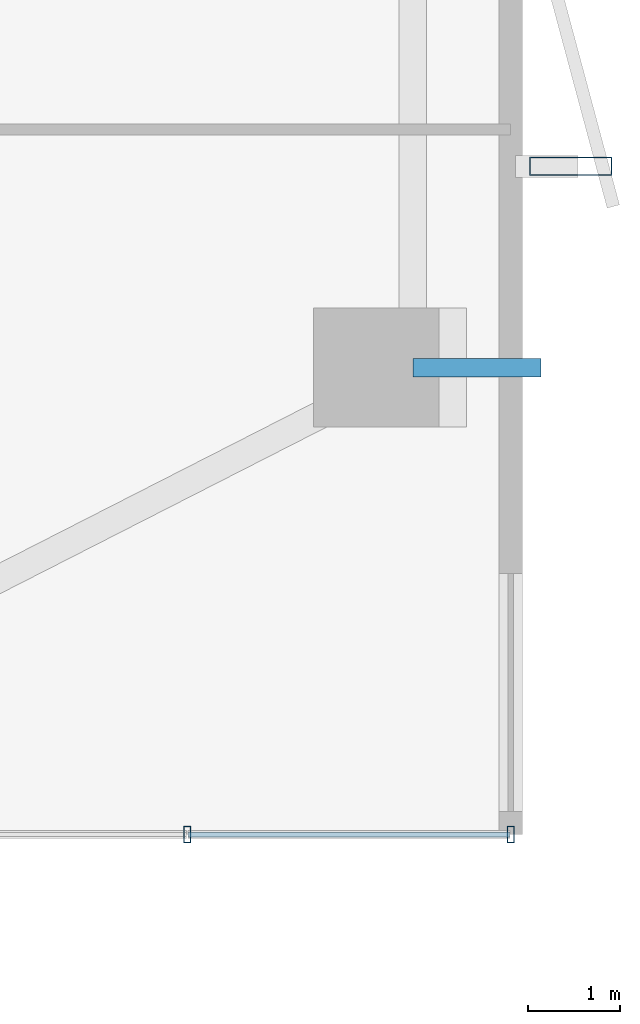
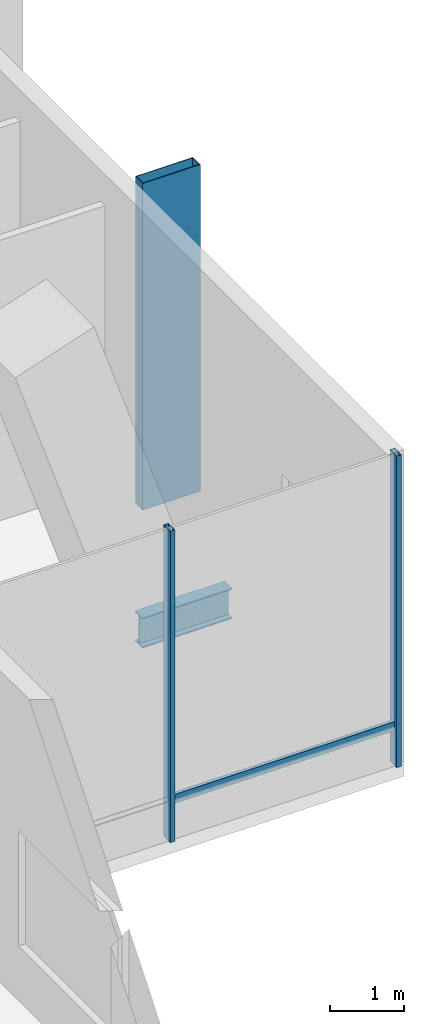
# One storey, part 12 of 28: 4 members, 1 beam, 1 element without a shape of its own.
"""IFC4 building model written with IfcOpenShell, lengths in metres."""

from ifc_helpers import new_model, si_unit, direction, frame, origin, origin_2d, place, context, subcontext, project, spatial, hollow_rectangle, i_section, extrude, material, layer, layer_set, material_profile, profile_set, type_object, element, aggregate, save


model = new_model("IFC4")

# Units and contexts
model_context = context("Model", 3, precision=1e-05, world=origin(), true_north=direction((0.0, 1.0)))
body_context = subcontext(model_context, "Body", "Model", "MODEL_VIEW")
ifc_project = project(units=[si_unit("LENGTHUNIT", "METRE"), si_unit("AREAUNIT", "SQUARE_METRE"), si_unit("VOLUMEUNIT", "CUBIC_METRE"), si_unit("PLANEANGLEUNIT", "RADIAN"), si_unit("MASSUNIT", "GRAM", prefix="KILO")], contexts=[model_context])

# Site, building, storey
site_placement = place(None, origin())
site = spatial("IfcSite", under=ifc_project, at=site_placement, CompositionType="ELEMENT")
building_placement = place(site_placement, origin())
building = spatial("IfcBuilding", under=site, at=building_placement, Name="Belovzor Exchange Tower", CompositionType="ELEMENT")
storey_placement = place(building_placement, frame((0.0, 0.0, 132.89990234375)))
storey = spatial("IfcBuildingStorey", under=building, at=storey_placement, Name="L32", CompositionType="ELEMENT", Elevation=132.89990234375)

# Beam
ifc_material_1 = material(Name="Steel S355", Category="steel")
ifc_material_profile_1 = material_profile(ifc_material_1, i_section(OverallWidth=0.199951171875, OverallDepth=0.5, WebThickness=0.01025390625, FlangeThickness=0.01611328125, at=origin_2d()))
ifc_profile_set_1 = profile_set([ifc_material_profile_1], Name="Steel S355")
beam_type = type_object("IfcBeamType", Name="Planted Balcony Cantilever Beam IPE 500", PredefinedType="BEAM", material=ifc_profile_set_1)
beam_placement = place(storey_placement, frame((53.699951171875, 15.0, -0.5), z_axis=(1.0, 0.0, 0.0), x_axis=(0.0, 1.0, 0.0)))
element("IfcBeam", 1, at=beam_placement, inside=storey, type_object=beam_type, Name="BC-500 Planted Balcony Cantilever Beam IPE 500", PredefinedType="BEAM", context=body_context, shape_type="SweptSolid", body=[
    extrude(i_section(OverallWidth=0.199951171875, OverallDepth=0.5, WebThickness=0.01025390625, FlangeThickness=0.01611328125, at=origin_2d()), origin(), (0.0, 0.0, 1.0), 1.400146484375),
])

# Member
ifc_material_2 = material(Name="Extruded Architectural Terracotta on Steel S355 Carrier", Category="masonry")
ifc_material_profile_2 = material_profile(ifc_material_2, hollow_rectangle(XDim=0.199951171875, YDim=0.89990234375, WallThickness=0.011962890625, at=origin_2d()))
ifc_profile_set_2 = profile_set([ifc_material_profile_2], Name="Extruded Architectural Terracotta on Steel S355 Carrier")
member_type_1 = type_object("IfcMemberType", Name="Sweeping Terracotta Baguette Fin Assembly 1250", PredefinedType="USERDEFINED", material=ifc_profile_set_2)
member_1_placement = place(storey_placement, frame((55.425048828125, 17.199951171875, -0.25), z_axis=(0.0, 0.0, 1.0), x_axis=(0.0, 1.0, 0.0)))
element("IfcMember", 2, at=member_1_placement, inside=storey, type_object=member_type_1, Name="FIN-TC125 Terracotta Facade Fin L32 E1", ObjectType="FIN", PredefinedType="USERDEFINED", context=body_context, shape_type="SweptSolid", body=[
    extrude(hollow_rectangle(XDim=0.199951171875, YDim=0.89990234375, WallThickness=0.011962890625, at=origin_2d()), origin(), (0.0, 0.0, 1.0), 5.39501953125),
])

# Curtain wall, members
ifc_material_3 = material(Name="Anodised Aluminium Framing", Category="aluminium")
ifc_layer = layer(ifc_material_3, 0.195068359375)
ifc_layer_set = layer_set([ifc_layer], Name="Anodised Aluminium Framing")
curtain_wall_type = type_object("IfcCurtainWallType", Name="Notched Re-Entrant Corner Unitised Curtain Wall", PredefinedType="NOTDEFINED", material=ifc_layer_set)
curtain_wall_placement = place(storey_placement, origin())
curtain_wall = element("IfcCurtainWall", 3, at=curtain_wall_placement, inside=storey, type_object=curtain_wall_type, Name="CW5 Notched Re-Entrant Corner Unitised Curtain Wall L32", PredefinedType="NOTDEFINED")
ifc_material_4 = material(Name="Steel S355", Category="steel")
ifc_material_profile_3 = material_profile(ifc_material_4, hollow_rectangle(XDim=0.074951171875, YDim=0.179931640625, WallThickness=0.0048828125, at=origin_2d()))
ifc_profile_set_3 = profile_set([ifc_material_profile_3], Name="Steel S355")
member_type_2 = type_object("IfcMemberType", Name="Thermally Broken Curtain Wall Mullion 180x75", PredefinedType="MULLION", material=ifc_profile_set_3)
member_2_placement = place(storey_placement, frame((54.77001953125, 9.89990234375, 0.0), z_axis=(0.0, 0.0, 1.0), x_axis=(-1.0, 0.0, 0.0)))
member_2 = element("IfcMember", 4, at=member_2_placement, type_object=member_type_2, Name="CW-M180 Curtain Wall Mullion 1", PredefinedType="MULLION", context=body_context, shape_type="SweptSolid", body=[
    extrude(hollow_rectangle(XDim=0.074951171875, YDim=0.179931640625, WallThickness=0.0048828125, at=origin_2d()), origin(), (0.0, 0.0, 1.0), 5.14501953125),
])
member_3_placement = place(storey_placement, frame((51.235107421875, 9.89990234375, 0.0), z_axis=(0.0, 0.0, 1.0), x_axis=(-1.0, 0.0, 0.0)))
member_3 = element("IfcMember", 5, at=member_3_placement, type_object=member_type_2, Name="CW-M180 Curtain Wall Mullion 2", PredefinedType="MULLION", context=body_context, shape_type="SweptSolid", body=[
    extrude(hollow_rectangle(XDim=0.074951171875, YDim=0.179931640625, WallThickness=0.0048828125, at=origin_2d()), origin(), (0.0, 0.0, 1.0), 5.14501953125),
])
ifc_material_5 = material(Name="Steel S355", Category="steel")
ifc_material_profile_4 = material_profile(ifc_material_5, hollow_rectangle(XDim=0.06005859375, YDim=0.14990234375, WallThickness=0.00390625, at=origin_2d()))
ifc_profile_set_4 = profile_set([ifc_material_profile_4], Name="Steel S355")
member_type_3 = type_object("IfcMemberType", Name="Thermally Broken Curtain Wall Transom 150x60", PredefinedType="USERDEFINED", material=ifc_profile_set_4)
member_4_placement = place(storey_placement, frame((54.761962890625, 9.89990234375, 0.650146484375), z_axis=(-1.0, 0.0, 0.0), x_axis=(0.0, -1.0, 0.0)))
member_4 = element("IfcMember", 6, at=member_4_placement, type_object=member_type_3, Name="CW-T150 Curtain Wall Transom 1", ObjectType="TRANSOM", PredefinedType="USERDEFINED", context=body_context, shape_type="SweptSolid", body=[
    extrude(hollow_rectangle(XDim=0.06005859375, YDim=0.14990234375, WallThickness=0.00390625, at=origin_2d()), origin(), (0.0, 0.0, 1.0), 3.51904296875),
])
aggregate(curtain_wall, [member_2, member_3, member_4])

save(model, "model.ifc")
